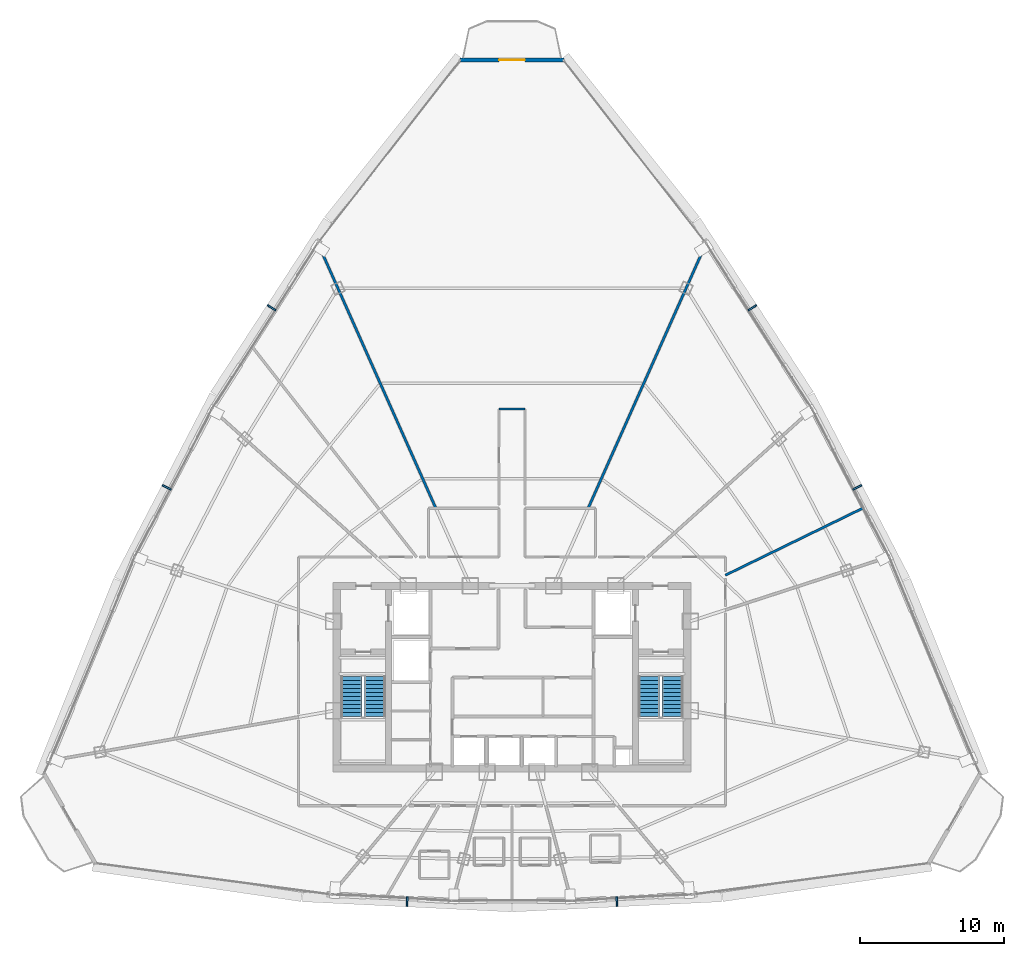
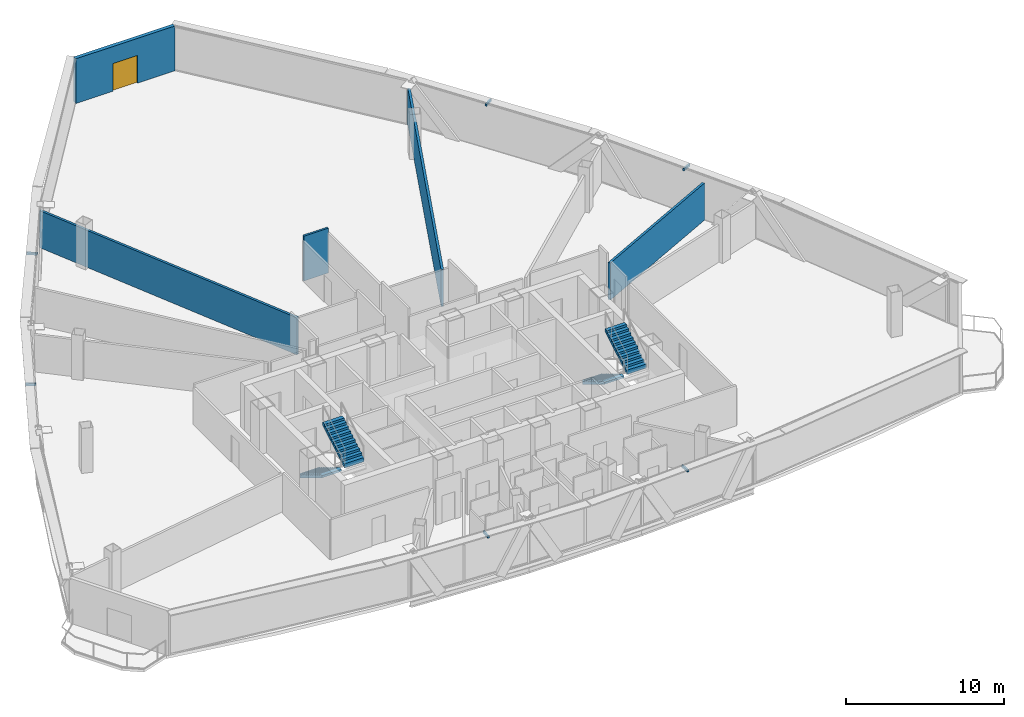
# One storey, part 36 of 39: 6 discrete accessories, 5 walls, 4 stair flights, 1 door, 1 opening, 2 elements without a shape of their own.
"""IFC4 building model written with IfcOpenShell, lengths in metres."""

from ifc_helpers import new_model, si_unit, direction, frame, frame_2d, origin, origin_with_axes, origin_2d, place, context, subcontext, project, spatial, polyline, rectangle, outline, extrude, source, transform, mapped, material, layer, layer_set, type_object, element, fill, aggregate, save


model = new_model("IFC4")

# Units and contexts
model_context = context("Model", 3, precision=1e-05, world=origin(), true_north=direction((0.0, 1.0)))
body_context = subcontext(model_context, "Body", "Model", "MODEL_VIEW")
ifc_project = project(units=[si_unit("LENGTHUNIT", "METRE"), si_unit("AREAUNIT", "SQUARE_METRE"), si_unit("VOLUMEUNIT", "CUBIC_METRE"), si_unit("PLANEANGLEUNIT", "RADIAN"), si_unit("MASSUNIT", "GRAM", prefix="KILO"), si_unit("THERMODYNAMICTEMPERATUREUNIT", "KELVIN"), si_unit("POWERUNIT", "WATT")], contexts=[model_context])

# Site, building, storey
site_placement = place(None, origin())
site = spatial("IfcSite", under=ifc_project, at=site_placement, CompositionType="ELEMENT")
building_placement = place(site_placement, origin())
building = spatial("IfcBuilding", under=site, at=building_placement, Name="Yunzhuo Pagoda Commons", CompositionType="ELEMENT")
storey_placement = place(building_placement, frame((0.0, 0.0, 285.02001953125)))
storey = spatial("IfcBuildingStorey", under=building, at=storey_placement, Name="L71", CompositionType="ELEMENT", Elevation=285.02001953125)

# Wall, opening, door
ifc_material_1 = material(Name="Precast concrete C40", Category="concrete")
ifc_layer_1 = layer(ifc_material_1, 0.260009765625)
ifc_layer_set_1 = layer_set([ifc_layer_1], Name="Precast concrete C40")
wall_type_1 = type_object("IfcWallType", Name="W-BAL1 Corner Balcony Threshold Wall 260", PredefinedType="STANDARD", material=ifc_layer_set_1)
wall_1_placement = place(storey_placement, frame((51.632080078125, 76.79296875, 0.0), z_axis=(0.0, 0.0, 1.0), x_axis=(-1.0, 0.0, 0.0)))
wall_1 = element("IfcWall", 1, at=wall_1_placement, inside=storey, type_object=wall_type_1, Name="L71 corner balcony wall V3", PredefinedType="STANDARD", context=body_context, shape_type="SweptSolid", body=[
    extrude(rectangle(XDim=7.26416015625, YDim=0.260009765625, at=frame_2d((3.632080078125, 0.0))), origin(), (0.0, 0.0, 1.0), 3.469970703125),
])
opening_placement = place(wall_1_placement, frame((2.732177734375, 0.0, 0.0)))
opening = element("IfcOpeningElement", 2, at=opening_placement, cuts=wall_1, Name="Opening D-BAL1", PredefinedType="OPENING", context=body_context, shape_type="SweptSolid", body=[
    extrude(rectangle(XDim=1.800048828125, YDim=2.14990234375, at=frame_2d((0.89990234375, 1.074951171875))), frame((0.0, 0.14013671875, 0.0), z_axis=(0.0, -1.0, 0.0), x_axis=(1.0, 0.0, 0.0)), (0.0, 0.0, 1.0), 0.280029296875),
])
ifc_material_2 = material(Name="Anodized aluminium frame and tempered glazed leaf", Category="aluminium")
door_type = type_object("IfcDoorType", Name="D-BAL1 Corner Balcony Sliding Glazed Door 1800x2150", OperationType="DOUBLE_DOOR_SLIDING", PredefinedType="DOOR", material=ifc_material_2)
shared_shape_1 = source(origin(), body_context, "Body", "SweptSolid", [
    extrude(rectangle(XDim=1.800048828125, YDim=2.14990234375, at=frame_2d((0.89990234375, 1.074951171875))), frame((0.0, 0.02490234375, 0.0), z_axis=(0.0, -1.0, 0.0), x_axis=(1.0, 0.0, 0.0)), (0.0, 0.0, 1.0), 0.050048828125),
])
door_placement = place(opening_placement, origin_with_axes())
door = element("IfcDoor", 3, at=door_placement, inside=storey, type_object=door_type, Name="L71 corner balcony sliding door V3", OperationType="DOUBLE_DOOR_SLIDING", OverallHeight=2.14990234375, OverallWidth=1.800048828125, PredefinedType="DOOR", context=body_context, shape_type="MappedRepresentation", body=[
    mapped(shared_shape_1, transform((0.0, 0.0, 0.0), scale=1.0)),
])
fill(opening, door)

# Walls
ifc_material_3 = material(Name="Gypsum plasterboard on acoustic stud")
ifc_layer_2 = layer(ifc_material_3, 0.14990234375)
ifc_layer_set_2 = layer_set([ifc_layer_2], Name="Gypsum plasterboard on acoustic stud")
wall_type_2 = type_object("IfcWallType", Name="W-COR3 High-Zone Rated Corridor Wall 150", PredefinedType="PARTITIONING", material=ifc_layer_set_2)
wall_2_placement = place(storey_placement, frame((47.10009765625, 52.5, 0.0), z_axis=(0.0, 0.0, 1.0), x_axis=(1.0, 0.0, 0.0)))
element("IfcWall", 4, at=wall_2_placement, inside=storey, type_object=wall_type_2, Name="L71 interior wall IW-L71-CWL07", PredefinedType="PARTITIONING", context=body_context, shape_type="SweptSolid", body=[
    extrude(rectangle(XDim=1.7998046875, YDim=0.14990234375, at=frame_2d((0.89990234375, 0.0))), origin(), (0.0, 0.0, 1.0), 3.469970703125),
])
ifc_layer_3 = layer(ifc_material_3, 0.169921875)
ifc_layer_set_3 = layer_set([ifc_layer_3], Name="Gypsum plasterboard on acoustic stud")
wall_type_3 = type_object("IfcWallType", Name="W-PRT4 High-Zone Demising Wall 170", PredefinedType="PARTITIONING", material=ifc_layer_set_3)
wall_3_placement = place(storey_placement, frame((62.85009765625, 40.94287109375, 0.0), z_axis=(0.0, 0.0, 1.0), x_axis=(0.89879540995, 0.43836835088, 0.0)))
element("IfcWall", 5, at=wall_3_placement, inside=storey, type_object=wall_type_3, Name="L71 interior wall IW-L71-RAD02", PredefinedType="PARTITIONING", context=body_context, shape_type="SweptSolid", body=[
    extrude(rectangle(XDim=10.70263671875, YDim=0.169921875, at=frame_2d((5.351318359375, 0.0))), origin(), (0.0, 0.0, 1.0), 2.869873046875),
])
for number, where, z_axis, x_axis, name in (
    (6, (53.298095703125, 45.60009765625, 0.0), (0.0, 0.0, 1.0), (0.406743072482, 0.91354259506, 0.0), "L71 interior wall IW-L71-RAD04"),
    (7, (42.701904296875, 45.60009765625, 0.0), (0.0, 0.0, 1.0), (-0.406743072482, 0.91354259506, 0.0), "L71 interior wall IW-L71-RAD05"),
):
    element("IfcWall", number, at=place(storey_placement, frame(where, z_axis=z_axis, x_axis=x_axis)), inside=storey, type_object=wall_type_3, Name=name, PredefinedType="PARTITIONING", context=body_context, shape_type="SweptSolid", body=[
        extrude(rectangle(XDim=20.191162109375, YDim=0.169921875, at=frame_2d((10.095703125, 0.0))), origin(), (0.0, 0.0, 1.0), 2.869873046875),
    ])

# Stair, stair flights
ifc_material_4 = material(Name="Concrete C40", Category="concrete")
stair_type_1 = type_object("IfcStairType", Name="ST-C1 Core Smokeproof Stair ST1", PredefinedType="HALF_TURN_STAIR", material=ifc_material_4)
stair_1_placement = place(storey_placement, origin())
stair_1 = element("IfcStair", 8, at=stair_1_placement, inside=storey, type_object=stair_type_1, Name="L71 Core smokeproof stair ST1", PredefinedType="HALF_TURN_STAIR")
stair_flight_type_1 = type_object("IfcStairFlightType", Name="STF-C1 Core Stair Flight 1450", PredefinedType="STRAIGHT", material=ifc_material_4)
shared_shape_2 = source(origin(), body_context, "Body", "SweptSolid", [
    extrude(outline(polyline([(0.0, -0.14990234375), (0.0, 0.0), (0.0, 0.16943359375), (0.280029296875, 0.16943359375), (0.280029296875, 0.339111328125), (0.56005859375, 0.339111328125), (0.56005859375, 0.508544921875), (0.840087890625, 0.508544921875), (0.840087890625, 0.67822265625), (1.1201171875, 0.67822265625), (1.1201171875, 0.84765625), (1.39990234375, 0.84765625), (1.39990234375, 1.017333984375), (1.679931640625, 1.017333984375), (1.679931640625, 1.186767578125), (1.9599609375, 1.186767578125), (1.9599609375, 1.3564453125), (2.239990234375, 1.3564453125), (2.239990234375, 1.52587890625), (2.52001953125, 1.52587890625), (2.52001953125, 1.695556640625), (2.800048828125, 1.695556640625), (2.800048828125, 1.864990234375), (2.800048828125, 1.520263671875), (0.289306640625, 0.0), (0.050048828125, -0.14990234375), (0.0, -0.14990234375)])), frame((0.0, 0.72509765625, 0.0), z_axis=(0.0, -1.0, 0.0), x_axis=(1.0, 0.0, 0.0)), (0.0, 0.0, 1.0), 1.449951171875),
])
stair_flight_1_placement = place(storey_placement, frame((36.824951171875, 33.89990234375, 0.0), z_axis=(0.0, 0.0, 1.0), x_axis=(0.0, -1.0, 0.0)))
stair_flight_1 = element("IfcStairFlight", 9, at=stair_flight_1_placement, type_object=stair_flight_type_1, Name="ST1 flight 1", NumberOfRisers=11, NumberOfTreads=10, PredefinedType="STRAIGHT", RiserHeight=0.169545455, TreadLength=0.28, context=body_context, shape_type="MappedRepresentation", body=[
    mapped(shared_shape_2, transform((0.0, 0.0, 0.0), scale=1.0)),
])
stair_flight_2_placement = place(storey_placement, frame((38.47509765625, 31.10009765625, 1.864990234375), z_axis=(0.0, 0.0, 1.0), x_axis=(0.0, 1.0, 0.0)))
stair_flight_2 = element("IfcStairFlight", 10, at=stair_flight_2_placement, type_object=stair_flight_type_1, Name="ST1 flight 2", NumberOfRisers=11, NumberOfTreads=10, PredefinedType="STRAIGHT", RiserHeight=0.169545455, TreadLength=0.28, context=body_context, shape_type="MappedRepresentation", body=[
    mapped(shared_shape_2, transform((0.0, 0.0, 0.0), scale=1.0)),
])
aggregate(stair_1, [stair_flight_1, stair_flight_2])

stair_type_2 = type_object("IfcStairType", Name="ST-C2 Core Smokeproof Stair ST2", PredefinedType="HALF_TURN_STAIR", material=ifc_material_4)
stair_2_placement = place(storey_placement, origin())
stair_2 = element("IfcStair", 11, at=stair_2_placement, inside=storey, type_object=stair_type_2, Name="L71 Core smokeproof stair ST2", PredefinedType="HALF_TURN_STAIR")
stair_flight_type_2 = type_object("IfcStairFlightType", Name="STF-C2 Core Stair Flight 1460", PredefinedType="STRAIGHT", material=ifc_material_4)
stair_flight_3_placement = place(storey_placement, frame((57.52490234375, 33.89990234375, 0.0), z_axis=(0.0, 0.0, 1.0), x_axis=(0.0, -1.0, 0.0)))
stair_flight_3 = element("IfcStairFlight", 12, at=stair_flight_3_placement, type_object=stair_flight_type_2, Name="ST2 flight 1", NumberOfRisers=11, NumberOfTreads=10, PredefinedType="STRAIGHT", RiserHeight=0.169545455, TreadLength=0.28, context=body_context, shape_type="MappedRepresentation", body=[
    mapped(shared_shape_2, transform((0.0, 0.0, 0.0), scale=1.0)),
])
stair_flight_4_placement = place(storey_placement, frame((59.175048828125, 31.10009765625, 1.864990234375), z_axis=(0.0, 0.0, 1.0), x_axis=(0.0, 1.0, 0.0)))
stair_flight_4 = element("IfcStairFlight", 13, at=stair_flight_4_placement, type_object=stair_flight_type_2, Name="ST2 flight 2", NumberOfRisers=11, NumberOfTreads=10, PredefinedType="STRAIGHT", RiserHeight=0.169545455, TreadLength=0.28, context=body_context, shape_type="MappedRepresentation", body=[
    mapped(shared_shape_2, transform((0.0, 0.0, 0.0), scale=1.0)),
])
aggregate(stair_2, [stair_flight_3, stair_flight_4])

# Discrete accessories
ifc_material_5 = material(Name="Anodized aluminium 6063-T6", Category="aluminium")
discrete_accessory_type = type_object("IfcDiscreteAccessoryType", Name="BK-SUN1 Sunshade Outrigger Bracket", PredefinedType="BRACKET", material=ifc_material_5)
shared_shape_3 = source(origin(), body_context, "Body", "SweptSolid", [
    extrude(rectangle(XDim=0.1201171875, YDim=0.679931640625, at=origin_2d()), origin(), (0.0, 0.0, 1.0), 0.179931640625),
])
for number, where, z_axis, x_axis, name in (
    (14, (40.701904296875, 18.232177734375, 3.26025390625), (0.0, 0.0, 1.0), (0.998818043775, -0.04860571396, 0.0), "L71 sunshade outrigger bracket F1.2"),
    (15, (55.298095703125, 18.232177734375, 3.26025390625), (0.0, 0.0, 1.0), (0.998818043775, 0.04860571396, 0.0), "L71 sunshade outrigger bracket F1.3"),
    (16, (72.02490234375, 47.052001953125, 3.26025390625), (0.0, 0.0, 1.0), (-0.461206683033, 0.88729273384, 0.0), "L71 sunshade outrigger bracket F2.2"),
    (17, (64.7265625, 59.5546875, 3.26025390625), (0.0, 0.0, 1.0), (-0.545838756973, 0.837890238269, 0.0), "L71 sunshade outrigger bracket F2.3"),
    (18, (31.2734375, 59.5546875, 3.26025390625), (0.0, 0.0, 1.0), (-0.545838756973, -0.837890238269, 0.0), "L71 sunshade outrigger bracket F3.2"),
    (19, (23.97509765625, 47.052001953125, 3.26025390625), (0.0, 0.0, 1.0), (-0.461206683033, -0.88729273384, 0.0), "L71 sunshade outrigger bracket F3.3"),
):
    element("IfcDiscreteAccessory", number, at=place(storey_placement, frame(where, z_axis=z_axis, x_axis=x_axis)), inside=storey, type_object=discrete_accessory_type, Name=name, PredefinedType="BRACKET", context=body_context, shape_type="MappedRepresentation", body=[
        mapped(shared_shape_3, transform((0.0, 0.0, 0.0), scale=1.0)),
    ])

save(model, "model.ifc")
